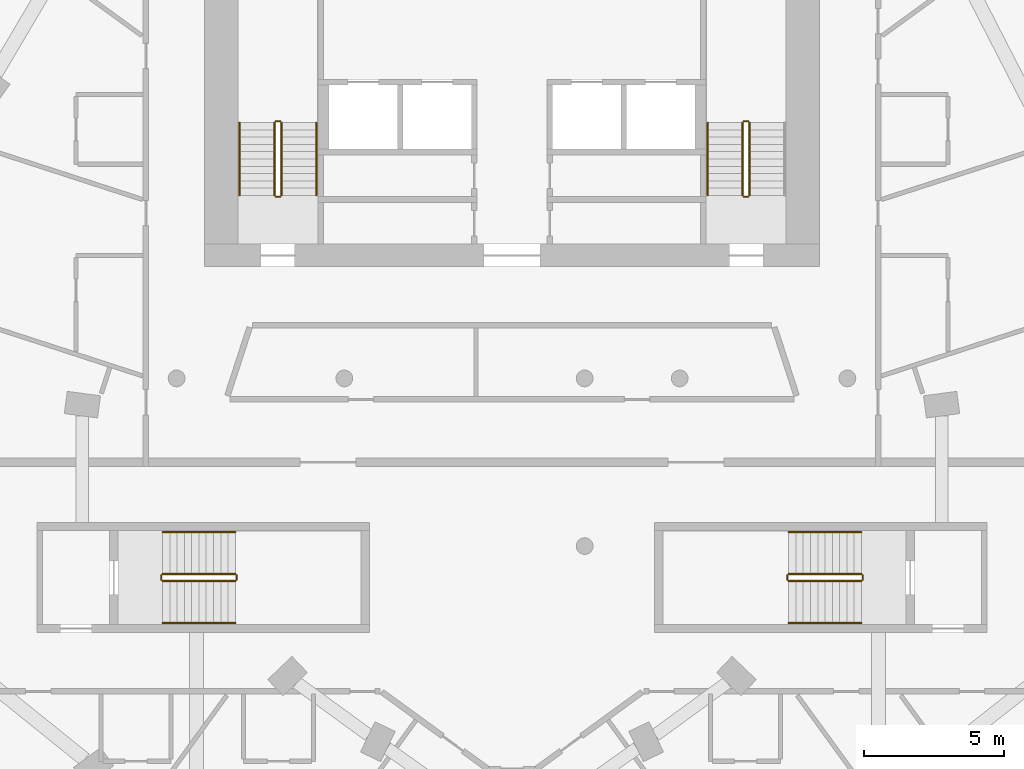
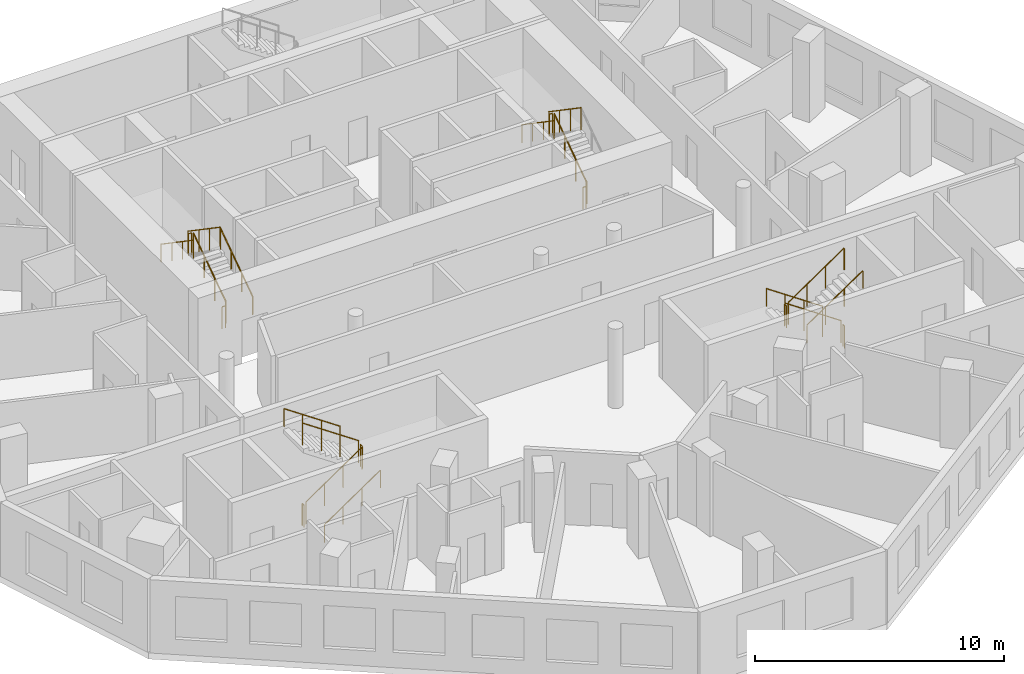
# One storey, part 8 of 9: 23 railings.
"""IFC4 building model written with IfcOpenShell, lengths in metres."""

import ifcopenshell
import ifcopenshell.guid

model = None  # the IFC model being written
_history = None  # IfcOwnerHistory: only IFC2X3 demands one
_inside = {}  # id of a spatial element -> (the spatial element, [elements in it])
_under = {}  # id of a project, library or spatial element -> (it, [spatial elements below it])
_declared = {}  # id of a project -> (the project, [libraries it declares])
_typed = {}  # id of a type object -> (the type object, [elements of that type])
_made_of = {}  # id of a material, layer set ... -> (it, [elements and type objects made of it])


def new_model(schema):
    """Start an empty IFC model of exactly this schema.

    Asked for "IFC4X3", IfcOpenShell would pick the latest addendum, in which some entities
    have other attributes; the version numbers below select the first issue.
    IFC2X3 requires an IfcOwnerHistory on every rooted entity: one is made here for all.
    """
    global model, _history
    if schema == "IFC4X3":
        model = ifcopenshell.file(schema_version=(4, 3, 0, 0))
    else:
        model = ifcopenshell.file(schema=schema)
    _inside.clear()
    _under.clear()
    _declared.clear()
    _typed.clear()
    _made_of.clear()
    _history = None
    if model.schema == "IFC2X3":
        org = make("IfcOrganization", Name="unknown")
        user = make(
            "IfcPersonAndOrganization",
            ThePerson=make("IfcPerson", FamilyName="unknown"),
            TheOrganization=org,
        )
        app = make(
            "IfcApplication",
            ApplicationDeveloper=org,
            Version="unknown",
            ApplicationFullName="unknown",
            ApplicationIdentifier="unknown",
        )
        _history = make(
            "IfcOwnerHistory",
            OwningUser=user,
            OwningApplication=app,
            ChangeAction="ADDED",
            CreationDate=0,
        )
    return model


def make(cls, **values):
    """One entity of the class cls with the attributes given. An attribute that is None is left unset."""
    return model.create_entity(
        cls, **{name: value for name, value in values.items() if value is not None}
    )


def rooted(cls, **values):
    """An entity with a GlobalId (a new one), such as an element, a storey or a relation."""
    return make(cls, GlobalId=ifcopenshell.guid.new(), OwnerHistory=_history, **values)


def si_unit(unit_type, name, prefix=None):
    """IfcSIUnit, for example si_unit("LENGTHUNIT", "METRE", prefix="MILLI")."""
    return make("IfcSIUnit", UnitType=unit_type, Prefix=prefix, Name=name)


def assignment(units):
    """IfcUnitAssignment: the units of a project."""
    return None if units is None else make("IfcUnitAssignment", Units=units)


def point(xyz):
    """IfcCartesianPoint."""
    return None if xyz is None else make("IfcCartesianPoint", Coordinates=xyz)


def direction(xyz):
    """IfcDirection."""
    return None if xyz is None else make("IfcDirection", DirectionRatios=xyz)


def frame(location, z_axis=None, x_axis=None):
    """IfcAxis2Placement3D, a coordinate frame: its origin and axes. An axis left out is left unset."""
    return make(
        "IfcAxis2Placement3D",
        Location=point(location),
        Axis=direction(z_axis),
        RefDirection=direction(x_axis),
    )


def frame_2d(location, x_axis=None):
    """IfcAxis2Placement2D, a coordinate frame in the plane: its origin and x axis."""
    return make(
        "IfcAxis2Placement2D", Location=point(location), RefDirection=direction(x_axis)
    )


def origin():
    """The frame at (0, 0, 0) with its axes left unset."""
    return frame((0.0, 0.0, 0.0))


def origin_2d():
    """The frame at (0, 0) in the plane with its x axis left unset."""
    return frame_2d((0.0, 0.0))


def place(relative_to, where):
    """IfcLocalPlacement: puts the frame where relative to a parent placement (None: the world)."""
    return make(
        "IfcLocalPlacement", PlacementRelTo=relative_to, RelativePlacement=where
    )


def context(
    kind, dimensions, precision=None, world=None, true_north=None, identifier=None
):
    """IfcGeometricRepresentationContext, for example the 3D "Model" context."""
    return make(
        "IfcGeometricRepresentationContext",
        ContextIdentifier=identifier,
        ContextType=kind,
        CoordinateSpaceDimension=dimensions,
        Precision=precision,
        WorldCoordinateSystem=world,
        TrueNorth=true_north,
    )


def subcontext(parent, identifier, kind, view, scale=None):
    """IfcGeometricRepresentationSubContext, for example "Body" below "Model"."""
    return make(
        "IfcGeometricRepresentationSubContext",
        ContextIdentifier=identifier,
        ContextType=kind,
        ParentContext=parent,
        TargetScale=scale,
        TargetView=view,
    )


def project(units=None, contexts=None):
    """IfcProject with its units and contexts."""
    return rooted(
        "IfcProject",
        Name="project",
        RepresentationContexts=contexts,
        UnitsInContext=assignment(units),
    )


def spatial(cls, under=None, at=None, **own):
    """A site, building, storey or space (cls), placed at a placement, below another one or the project."""
    s = rooted(cls, ObjectPlacement=at, **own)
    if under is not None:
        _under.setdefault(under.id(), (under, []))[1].append(s)
    return s


def profile(cls, at=None, kind="AREA", **sizes):
    """A parametric profile (cls). Its sizes go by their IFC names, for example OverallWidth=200.0."""
    return make(cls, ProfileType=kind, Position=at, **sizes)


def circle(**sizes):
    """IfcCircleProfileDef."""
    return profile("IfcCircleProfileDef", **sizes)


def extrude(swept, where, along, depth):
    """IfcExtrudedAreaSolid: the profile swept, set in the frame where, extruded along a direction by depth."""
    return make(
        "IfcExtrudedAreaSolid",
        SweptArea=swept,
        Position=where,
        ExtrudedDirection=direction(along),
        Depth=depth,
    )


def shape(context_of_items, identifier, shape_type, items):
    """IfcShapeRepresentation: the items that make up one representation, for example the "Body"."""
    return make(
        "IfcShapeRepresentation",
        ContextOfItems=context_of_items,
        RepresentationIdentifier=identifier,
        RepresentationType=shape_type,
        Items=items,
    )


def material(Name=None, Category=None):
    """IfcMaterial."""
    return make("IfcMaterial", Name=Name, Category=Category)


def made_of(thing, what):
    """Note that an element or type object is made of a material, layer set ...; save() writes the relation."""
    if what is not None:
        _made_of.setdefault(what.id(), (what, []))[1].append(thing)
    return thing


def type_object(cls, material=None, **own):
    """A type object (cls), such as IfcWallType, which elements share."""
    return made_of(rooted(cls, **own), material)


def element(
    cls,
    number,
    at=None,
    inside=None,
    cuts=None,
    type_object=None,
    material=None,
    context=None,
    identifier="Body",
    shape_type=None,
    held_by="IfcProductDefinitionShape",
    body=None,
    shapes=None,
    **own,
):
    """One element of the class cls, such as IfcWall. Its Tag is "e" and its number.

    at: its placement. inside: the storey or other place that contains it. cuts: it is an
    opening in that element (IfcRelVoidsElement). A single representation is given by context,
    identifier, shape_type and body (its items); several are given by shapes. held_by: the class
    of the entity that holds the representations. save() writes the other relations.
    """
    e = rooted(cls, Tag="e%d" % number, ObjectPlacement=at, **own)
    if body is not None:
        shapes = [shape(context, identifier, shape_type, body)]
    if shapes is not None:
        e.Representation = make(held_by, Representations=shapes)
    if inside is not None:
        _inside.setdefault(inside.id(), (inside, []))[1].append(e)
    if cuts is not None:
        rooted(
            "IfcRelVoidsElement", RelatingBuildingElement=cuts, RelatedOpeningElement=e
        )
    if type_object is not None:
        _typed.setdefault(type_object.id(), (type_object, []))[1].append(e)
    return made_of(e, material)


def aggregate(whole, parts):
    """IfcRelAggregates: a whole, such as a stair, and the parts it consists of."""
    return rooted("IfcRelAggregates", RelatingObject=whole, RelatedObjects=parts)


def save(model, path):
    """Write the relations noted so far, then the file.

    IfcRelAggregates (storeys below a building ...), IfcRelContainedInSpatialStructure (elements
    in a storey), IfcRelDefinesByType, IfcRelAssociatesMaterial and IfcRelDeclares: one each for
    every whole, place, type object, material and project.
    """
    for whole, parts in _under.values():
        aggregate(whole, parts)
    for where, things in _inside.values():
        rooted(
            "IfcRelContainedInSpatialStructure",
            RelatedElements=things,
            RelatingStructure=where,
        )
    for kind, things in _typed.values():
        rooted("IfcRelDefinesByType", RelatedObjects=things, RelatingType=kind)
    for what, things in _made_of.values():
        rooted("IfcRelAssociatesMaterial", RelatedObjects=things, RelatingMaterial=what)
    for by, libraries in _declared.values():
        rooted("IfcRelDeclares", RelatingContext=by, RelatedDefinitions=libraries)
    model.write(path)


model = new_model("IFC4")

# Units and contexts
model_context = context("Model", 3, precision=1e-05, world=origin(), true_north=direction((0.0, 1.0)))
body_context = subcontext(model_context, "Body", "Model", "MODEL_VIEW")
ifc_project = project(units=[si_unit("LENGTHUNIT", "METRE"), si_unit("AREAUNIT", "SQUARE_METRE"), si_unit("VOLUMEUNIT", "CUBIC_METRE"), si_unit("PLANEANGLEUNIT", "RADIAN"), si_unit("MASSUNIT", "GRAM", prefix="KILO")], contexts=[model_context])

# Site, building, storey
site_placement = place(None, origin())
site = spatial("IfcSite", under=ifc_project, at=site_placement, CompositionType="ELEMENT")
building_placement = place(site_placement, origin())
building = spatial("IfcBuilding", under=site, at=building_placement, Name="White Candle Pilgrim Tower", CompositionType="ELEMENT")
storey_placement = place(building_placement, frame((0.0, 0.0, 216.0)))
storey = spatial("IfcBuildingStorey", under=building, at=storey_placement, Name="L50", CompositionType="ELEMENT", Elevation=216.0)

# Railings
ifc_material = material(Name="Stainless steel", Category="steel")
railing_type_1 = type_object("IfcRailingType", Name="Stair guard stainless steel 1100 mm", PredefinedType="GUARDRAIL", material=ifc_material)
railing_1_placement = place(storey_placement, frame((61.75, 73.550048828125, 0.17724609375)))
element("IfcRailing", 1, at=railing_1_placement, inside=storey, type_object=railing_type_1, Name="L50 ST1 stair guard 1", PredefinedType="GUARDRAIL", context=body_context, shape_type="SweptSolid", body=[
    extrude(circle(Radius=0.02392578125, at=origin_2d()), frame((0.0, 0.0, 1.076171875), z_axis=(0.0, 0.826215852431, 0.563353676824), x_axis=(-1.0, 0.0, 0.0)), (0.0, 0.0, 1.0), 3.146728515625),
    extrude(circle(Radius=0.02099609375, at=origin_2d()), origin(), (0.0, 0.0, 1.0), 1.052001953125),
    extrude(circle(Radius=0.02099609375, at=origin_2d()), frame((0.0, 0.86669921875, 0.5908203125)), (0.0, 0.0, 1.0), 1.052001953125),
    extrude(circle(Radius=0.02099609375, at=origin_2d()), frame((0.0, 1.733154296875, 1.181884765625)), (0.0, 0.0, 1.0), 1.052001953125),
    extrude(circle(Radius=0.02099609375, at=origin_2d()), frame((0.0, 2.599853515625, 1.772705078125)), (0.0, 0.0, 1.0), 1.052001953125),
])
railing_2_placement = place(storey_placement, frame((61.699951171875, 76.199951171875, 1.949951171875)))
element("IfcRailing", 2, at=railing_2_placement, inside=storey, type_object=railing_type_1, Name="L50 ST1 stair guard 2", PredefinedType="GUARDRAIL", context=body_context, shape_type="SweptSolid", body=[
    extrude(circle(Radius=0.02392578125, at=origin_2d()), frame((0.0, 0.0, 1.076171875), z_axis=(-1.0, 0.0, 0.0), x_axis=(0.0, -1.0, 0.0)), (0.0, 0.0, 1.0), 0.14990234375),
    extrude(circle(Radius=0.02099609375, at=origin_2d()), origin(), (0.0, 0.0, 1.0), 1.052001953125),
    extrude(circle(Radius=0.02099609375, at=origin_2d()), frame((-0.14990234375, 0.0, 0.0)), (0.0, 0.0, 1.0), 1.052001953125),
])
railing_3_placement = place(storey_placement, frame((61.5, 76.14990234375, 2.127197265625)))
element("IfcRailing", 3, at=railing_3_placement, inside=storey, type_object=railing_type_1, Name="L50 ST1 stair guard 3", PredefinedType="GUARDRAIL", context=body_context, shape_type="SweptSolid", body=[
    extrude(circle(Radius=0.02392578125, at=origin_2d()), frame((0.0, 0.0, 1.076171875), z_axis=(0.0, -0.826215852431, 0.563353676824), x_axis=(1.0, 0.0, 0.0)), (0.0, 0.0, 1.0), 3.146728515625),
    extrude(circle(Radius=0.02099609375, at=origin_2d()), origin(), (0.0, 0.0, 1.0), 1.052001953125),
    extrude(circle(Radius=0.02099609375, at=origin_2d()), frame((0.0, -0.86669921875, 0.5908203125)), (0.0, 0.0, 1.0), 1.052001953125),
    extrude(circle(Radius=0.02099609375, at=origin_2d()), frame((0.0, -1.733154296875, 1.181884765625)), (0.0, 0.0, 1.0), 1.052001953125),
    extrude(circle(Radius=0.02099609375, at=origin_2d()), frame((0.0, -2.599853515625, 1.772705078125)), (0.0, 0.0, 1.0), 1.052001953125),
])
railing_4_placement = place(storey_placement, frame((61.699951171875, 73.5, 0.0)))
element("IfcRailing", 4, at=railing_4_placement, inside=storey, type_object=railing_type_1, Name="L50 ST1 stair guard 4", PredefinedType="GUARDRAIL", context=body_context, shape_type="SweptSolid", body=[
    extrude(circle(Radius=0.02392578125, at=origin_2d()), frame((0.0, 0.0, 1.076171875), z_axis=(-1.0, 0.0, 0.0), x_axis=(0.0, -1.0, 0.0)), (0.0, 0.0, 1.0), 0.14990234375),
    extrude(circle(Radius=0.02099609375, at=origin_2d()), origin(), (0.0, 0.0, 1.0), 1.052001953125),
    extrude(circle(Radius=0.02099609375, at=origin_2d()), frame((-0.14990234375, 0.0, 0.0)), (0.0, 0.0, 1.0), 1.052001953125),
])
railing_5_placement = place(storey_placement, frame((78.5, 73.550048828125, 0.17724609375)))
element("IfcRailing", 5, at=railing_5_placement, inside=storey, type_object=railing_type_1, Name="L50 ST2 stair guard 1", PredefinedType="GUARDRAIL", context=body_context, shape_type="SweptSolid", body=[
    extrude(circle(Radius=0.02392578125, at=origin_2d()), frame((0.0, 0.0, 1.076171875), z_axis=(0.0, 0.826215852431, 0.563353676824), x_axis=(-1.0, 0.0, 0.0)), (0.0, 0.0, 1.0), 3.146728515625),
    extrude(circle(Radius=0.02099609375, at=origin_2d()), origin(), (0.0, 0.0, 1.0), 1.052001953125),
    extrude(circle(Radius=0.02099609375, at=origin_2d()), frame((0.0, 0.86669921875, 0.5908203125)), (0.0, 0.0, 1.0), 1.052001953125),
    extrude(circle(Radius=0.02099609375, at=origin_2d()), frame((0.0, 1.733154296875, 1.181884765625)), (0.0, 0.0, 1.0), 1.052001953125),
    extrude(circle(Radius=0.02099609375, at=origin_2d()), frame((0.0, 2.599853515625, 1.772705078125)), (0.0, 0.0, 1.0), 1.052001953125),
])
railing_6_placement = place(storey_placement, frame((78.449951171875, 76.199951171875, 1.949951171875)))
element("IfcRailing", 6, at=railing_6_placement, inside=storey, type_object=railing_type_1, Name="L50 ST2 stair guard 2", PredefinedType="GUARDRAIL", context=body_context, shape_type="SweptSolid", body=[
    extrude(circle(Radius=0.02392578125, at=origin_2d()), frame((0.0, 0.0, 1.076171875), z_axis=(-1.0, 0.0, 0.0), x_axis=(0.0, -1.0, 0.0)), (0.0, 0.0, 1.0), 0.14990234375),
    extrude(circle(Radius=0.02099609375, at=origin_2d()), origin(), (0.0, 0.0, 1.0), 1.052001953125),
    extrude(circle(Radius=0.02099609375, at=origin_2d()), frame((-0.14990234375, 0.0, 0.0)), (0.0, 0.0, 1.0), 1.052001953125),
])
railing_7_placement = place(storey_placement, frame((78.25, 76.14990234375, 2.127197265625)))
element("IfcRailing", 7, at=railing_7_placement, inside=storey, type_object=railing_type_1, Name="L50 ST2 stair guard 3", PredefinedType="GUARDRAIL", context=body_context, shape_type="SweptSolid", body=[
    extrude(circle(Radius=0.02392578125, at=origin_2d()), frame((0.0, 0.0, 1.076171875), z_axis=(0.0, -0.826215852431, 0.563353676824), x_axis=(1.0, 0.0, 0.0)), (0.0, 0.0, 1.0), 3.146728515625),
    extrude(circle(Radius=0.02099609375, at=origin_2d()), origin(), (0.0, 0.0, 1.0), 1.052001953125),
    extrude(circle(Radius=0.02099609375, at=origin_2d()), frame((0.0, -0.86669921875, 0.5908203125)), (0.0, 0.0, 1.0), 1.052001953125),
    extrude(circle(Radius=0.02099609375, at=origin_2d()), frame((0.0, -1.733154296875, 1.181884765625)), (0.0, 0.0, 1.0), 1.052001953125),
    extrude(circle(Radius=0.02099609375, at=origin_2d()), frame((0.0, -2.599853515625, 1.772705078125)), (0.0, 0.0, 1.0), 1.052001953125),
])
railing_8_placement = place(storey_placement, frame((78.449951171875, 73.5, 0.0)))
element("IfcRailing", 8, at=railing_8_placement, inside=storey, type_object=railing_type_1, Name="L50 ST2 stair guard 4", PredefinedType="GUARDRAIL", context=body_context, shape_type="SweptSolid", body=[
    extrude(circle(Radius=0.02392578125, at=origin_2d()), frame((0.0, 0.0, 1.076171875), z_axis=(-1.0, 0.0, 0.0), x_axis=(0.0, -1.0, 0.0)), (0.0, 0.0, 1.0), 0.14990234375),
    extrude(circle(Radius=0.02099609375, at=origin_2d()), origin(), (0.0, 0.0, 1.0), 1.052001953125),
    extrude(circle(Radius=0.02099609375, at=origin_2d()), frame((-0.14990234375, 0.0, 0.0)), (0.0, 0.0, 1.0), 1.052001953125),
])
railing_9_placement = place(storey_placement, frame((82.5, 60.0, 0.17724609375)))
element("IfcRailing", 9, at=railing_9_placement, inside=storey, type_object=railing_type_1, Name="L50 ST4 stair guard 1", PredefinedType="GUARDRAIL", context=body_context, shape_type="SweptSolid", body=[
    extrude(circle(Radius=0.02392578125, at=origin_2d()), frame((0.0, 0.0, 1.076171875), z_axis=(-0.826240473404, 0.0, 0.563317565952), x_axis=(0.0, -1.0, 0.0)), (0.0, 0.0, 1.0), 3.14697265625),
    extrude(circle(Radius=0.02099609375, at=origin_2d()), origin(), (0.0, 0.0, 1.0), 1.052001953125),
    extrude(circle(Radius=0.02099609375, at=origin_2d()), frame((-0.86669921875, 0.0, 0.5908203125)), (0.0, 0.0, 1.0), 1.052001953125),
    extrude(circle(Radius=0.02099609375, at=origin_2d()), frame((-1.7333984375, 0.0, 1.181884765625)), (0.0, 0.0, 1.0), 1.052001953125),
    extrude(circle(Radius=0.02099609375, at=origin_2d()), frame((-2.60009765625, 0.0, 1.772705078125)), (0.0, 0.0, 1.0), 1.052001953125),
])
railing_10_placement = place(storey_placement, frame((79.85009765625, 59.949951171875, 1.949951171875)))
element("IfcRailing", 10, at=railing_10_placement, inside=storey, type_object=railing_type_1, Name="L50 ST4 stair guard 2", PredefinedType="GUARDRAIL", context=body_context, shape_type="SweptSolid", body=[
    extrude(circle(Radius=0.02392578125, at=origin_2d()), frame((0.0, 0.0, 1.076171875), z_axis=(0.0, -1.0, 0.0), x_axis=(1.0, 0.0, 0.0)), (0.0, 0.0, 1.0), 0.14990234375),
    extrude(circle(Radius=0.02099609375, at=origin_2d()), origin(), (0.0, 0.0, 1.0), 1.052001953125),
    extrude(circle(Radius=0.02099609375, at=origin_2d()), frame((0.0, -0.14990234375, 0.0)), (0.0, 0.0, 1.0), 1.052001953125),
])
railing_11_placement = place(storey_placement, frame((79.89990234375, 59.75, 2.127197265625)))
element("IfcRailing", 11, at=railing_11_placement, inside=storey, type_object=railing_type_1, Name="L50 ST4 stair guard 3", PredefinedType="GUARDRAIL", context=body_context, shape_type="SweptSolid", body=[
    extrude(circle(Radius=0.02392578125, at=origin_2d()), frame((0.0, 0.0, 1.076171875), z_axis=(0.826240473404, 0.0, 0.563317565952), x_axis=(0.0, 1.0, 0.0)), (0.0, 0.0, 1.0), 3.14697265625),
    extrude(circle(Radius=0.02099609375, at=origin_2d()), origin(), (0.0, 0.0, 1.0), 1.052001953125),
    extrude(circle(Radius=0.02099609375, at=origin_2d()), frame((0.86669921875, 0.0, 0.5908203125)), (0.0, 0.0, 1.0), 1.052001953125),
    extrude(circle(Radius=0.02099609375, at=origin_2d()), frame((1.7333984375, 0.0, 1.181884765625)), (0.0, 0.0, 1.0), 1.052001953125),
    extrude(circle(Radius=0.02099609375, at=origin_2d()), frame((2.60009765625, 0.0, 1.772705078125)), (0.0, 0.0, 1.0), 1.052001953125),
])
railing_12_placement = place(storey_placement, frame((82.550048828125, 59.949951171875, 0.0)))
element("IfcRailing", 12, at=railing_12_placement, inside=storey, type_object=railing_type_1, Name="L50 ST4 stair guard 4", PredefinedType="GUARDRAIL", context=body_context, shape_type="SweptSolid", body=[
    extrude(circle(Radius=0.02392578125, at=origin_2d()), frame((0.0, 0.0, 1.076171875), z_axis=(0.0, -1.0, 0.0), x_axis=(1.0, 0.0, 0.0)), (0.0, 0.0, 1.0), 0.14990234375),
    extrude(circle(Radius=0.02099609375, at=origin_2d()), origin(), (0.0, 0.0, 1.0), 1.052001953125),
    extrude(circle(Radius=0.02099609375, at=origin_2d()), frame((0.0, -0.14990234375, 0.0)), (0.0, 0.0, 1.0), 1.052001953125),
])
railing_13_placement = place(storey_placement, frame((57.5, 59.75, 0.17724609375)))
element("IfcRailing", 13, at=railing_13_placement, inside=storey, type_object=railing_type_1, Name="L50 ST5 stair guard 1", PredefinedType="GUARDRAIL", context=body_context, shape_type="SweptSolid", body=[
    extrude(circle(Radius=0.02392578125, at=origin_2d()), frame((0.0, 0.0, 1.076171875), z_axis=(0.826240473404, 0.0, 0.563317565952), x_axis=(0.0, 1.0, 0.0)), (0.0, 0.0, 1.0), 3.14697265625),
    extrude(circle(Radius=0.02099609375, at=origin_2d()), origin(), (0.0, 0.0, 1.0), 1.052001953125),
    extrude(circle(Radius=0.02099609375, at=origin_2d()), frame((0.86669921875, 0.0, 0.5908203125)), (0.0, 0.0, 1.0), 1.052001953125),
    extrude(circle(Radius=0.02099609375, at=origin_2d()), frame((1.7333984375, 0.0, 1.181884765625)), (0.0, 0.0, 1.0), 1.052001953125),
    extrude(circle(Radius=0.02099609375, at=origin_2d()), frame((2.60009765625, 0.0, 1.772705078125)), (0.0, 0.0, 1.0), 1.052001953125),
])
railing_14_placement = place(storey_placement, frame((60.14990234375, 59.800048828125, 1.949951171875)))
element("IfcRailing", 14, at=railing_14_placement, inside=storey, type_object=railing_type_1, Name="L50 ST5 stair guard 2", PredefinedType="GUARDRAIL", context=body_context, shape_type="SweptSolid", body=[
    extrude(circle(Radius=0.02392578125, at=origin_2d()), frame((0.0, 0.0, 1.076171875), z_axis=(0.0, 1.0, 0.0), x_axis=(-1.0, 0.0, 0.0)), (0.0, 0.0, 1.0), 0.14990234375),
    extrude(circle(Radius=0.02099609375, at=origin_2d()), origin(), (0.0, 0.0, 1.0), 1.052001953125),
    extrude(circle(Radius=0.02099609375, at=origin_2d()), frame((0.0, 0.14990234375, 0.0)), (0.0, 0.0, 1.0), 1.052001953125),
])
railing_15_placement = place(storey_placement, frame((60.10009765625, 60.0, 2.127197265625)))
element("IfcRailing", 15, at=railing_15_placement, inside=storey, type_object=railing_type_1, Name="L50 ST5 stair guard 3", PredefinedType="GUARDRAIL", context=body_context, shape_type="SweptSolid", body=[
    extrude(circle(Radius=0.02392578125, at=origin_2d()), frame((0.0, 0.0, 1.076171875), z_axis=(-0.826240473404, 0.0, 0.563317565952), x_axis=(0.0, -1.0, 0.0)), (0.0, 0.0, 1.0), 3.14697265625),
    extrude(circle(Radius=0.02099609375, at=origin_2d()), origin(), (0.0, 0.0, 1.0), 1.052001953125),
    extrude(circle(Radius=0.02099609375, at=origin_2d()), frame((-0.86669921875, 0.0, 0.5908203125)), (0.0, 0.0, 1.0), 1.052001953125),
    extrude(circle(Radius=0.02099609375, at=origin_2d()), frame((-1.7333984375, 0.0, 1.181884765625)), (0.0, 0.0, 1.0), 1.052001953125),
    extrude(circle(Radius=0.02099609375, at=origin_2d()), frame((-2.60009765625, 0.0, 1.772705078125)), (0.0, 0.0, 1.0), 1.052001953125),
])
railing_16_placement = place(storey_placement, frame((57.449951171875, 59.800048828125, 0.0)))
element("IfcRailing", 16, at=railing_16_placement, inside=storey, type_object=railing_type_1, Name="L50 ST5 stair guard 4", PredefinedType="GUARDRAIL", context=body_context, shape_type="SweptSolid", body=[
    extrude(circle(Radius=0.02392578125, at=origin_2d()), frame((0.0, 0.0, 1.076171875), z_axis=(0.0, 1.0, 0.0), x_axis=(-1.0, 0.0, 0.0)), (0.0, 0.0, 1.0), 0.14990234375),
    extrude(circle(Radius=0.02099609375, at=origin_2d()), origin(), (0.0, 0.0, 1.0), 1.052001953125),
    extrude(circle(Radius=0.02099609375, at=origin_2d()), frame((0.0, 0.14990234375, 0.0)), (0.0, 0.0, 1.0), 1.052001953125),
])
railing_type_2 = type_object("IfcRailingType", Name="Stair handrail stainless steel", PredefinedType="HANDRAIL", material=ifc_material)
railing_17_placement = place(storey_placement, frame((63.0, 73.550048828125, 0.17724609375)))
element("IfcRailing", 17, at=railing_17_placement, inside=storey, type_object=railing_type_2, Name="L50 ST1 stair handrail 1", PredefinedType="HANDRAIL", context=body_context, shape_type="SweptSolid", body=[
    extrude(circle(Radius=0.02392578125, at=origin_2d()), frame((0.0, 0.0, 0.8759765625), z_axis=(0.0, 0.826215852431, 0.563353676824), x_axis=(-1.0, 0.0, 0.0)), (0.0, 0.0, 1.0), 3.146728515625),
    extrude(circle(Radius=0.02099609375, at=origin_2d()), origin(), (0.0, 0.0, 1.0), 0.851806640625),
    extrude(circle(Radius=0.02099609375, at=origin_2d()), frame((0.0, 0.86669921875, 0.5908203125)), (0.0, 0.0, 1.0), 0.851806640625),
    extrude(circle(Radius=0.02099609375, at=origin_2d()), frame((0.0, 1.733154296875, 1.181884765625)), (0.0, 0.0, 1.0), 0.851806640625),
    extrude(circle(Radius=0.02099609375, at=origin_2d()), frame((0.0, 2.599853515625, 1.772705078125)), (0.0, 0.0, 1.0), 0.851806640625),
])
for number, where, name in (
    (18, (60.25, 76.14990234375, 2.127197265625), "L50 ST1 stair handrail 2"),
    (19, (77.0, 76.14990234375, 2.127197265625), "L50 ST2 stair handrail 2"),
):
    element("IfcRailing", number, at=place(storey_placement, frame(where)), inside=storey, type_object=railing_type_2, Name=name, PredefinedType="HANDRAIL", context=body_context, shape_type="SweptSolid", body=[
        extrude(circle(Radius=0.02392578125, at=origin_2d()), frame((0.0, 0.0, 0.8759765625), z_axis=(0.0, -0.826215852431, 0.563353676824), x_axis=(1.0, 0.0, 0.0)), (0.0, 0.0, 1.0), 3.146728515625),
        extrude(circle(Radius=0.02099609375, at=origin_2d()), origin(), (0.0, 0.0, 1.0), 0.851806640625),
        extrude(circle(Radius=0.02099609375, at=origin_2d()), frame((0.0, -0.86669921875, 0.5908203125)), (0.0, 0.0, 1.0), 0.851806640625),
        extrude(circle(Radius=0.02099609375, at=origin_2d()), frame((0.0, -1.733154296875, 1.181884765625)), (0.0, 0.0, 1.0), 0.851806640625),
        extrude(circle(Radius=0.02099609375, at=origin_2d()), frame((0.0, -2.599853515625, 1.772705078125)), (0.0, 0.0, 1.0), 0.851806640625),
    ])
railing_18_placement = place(storey_placement, frame((82.5, 61.5, 0.17724609375)))
element("IfcRailing", 20, at=railing_18_placement, inside=storey, type_object=railing_type_2, Name="L50 ST4 stair handrail 1", PredefinedType="HANDRAIL", context=body_context, shape_type="SweptSolid", body=[
    extrude(circle(Radius=0.02392578125, at=origin_2d()), frame((0.0, 0.0, 0.8759765625), z_axis=(-0.826240473404, 0.0, 0.563317565952), x_axis=(0.0, -1.0, 0.0)), (0.0, 0.0, 1.0), 3.14697265625),
    extrude(circle(Radius=0.02099609375, at=origin_2d()), origin(), (0.0, 0.0, 1.0), 0.851806640625),
    extrude(circle(Radius=0.02099609375, at=origin_2d()), frame((-0.86669921875, 0.0, 0.5908203125)), (0.0, 0.0, 1.0), 0.851806640625),
    extrude(circle(Radius=0.02099609375, at=origin_2d()), frame((-1.7333984375, 0.0, 1.181884765625)), (0.0, 0.0, 1.0), 0.851806640625),
    extrude(circle(Radius=0.02099609375, at=origin_2d()), frame((-2.60009765625, 0.0, 1.772705078125)), (0.0, 0.0, 1.0), 0.851806640625),
])
for number, where, name in (
    (21, (79.89990234375, 58.25, 2.127197265625), "L50 ST4 stair handrail 2"),
    (22, (57.5, 58.25, 0.17724609375), "L50 ST5 stair handrail 1"),
):
    element("IfcRailing", number, at=place(storey_placement, frame(where)), inside=storey, type_object=railing_type_2, Name=name, PredefinedType="HANDRAIL", context=body_context, shape_type="SweptSolid", body=[
        extrude(circle(Radius=0.02392578125, at=origin_2d()), frame((0.0, 0.0, 0.8759765625), z_axis=(0.826240473404, 0.0, 0.563317565952), x_axis=(0.0, 1.0, 0.0)), (0.0, 0.0, 1.0), 3.14697265625),
        extrude(circle(Radius=0.02099609375, at=origin_2d()), origin(), (0.0, 0.0, 1.0), 0.851806640625),
        extrude(circle(Radius=0.02099609375, at=origin_2d()), frame((0.86669921875, 0.0, 0.5908203125)), (0.0, 0.0, 1.0), 0.851806640625),
        extrude(circle(Radius=0.02099609375, at=origin_2d()), frame((1.7333984375, 0.0, 1.181884765625)), (0.0, 0.0, 1.0), 0.851806640625),
        extrude(circle(Radius=0.02099609375, at=origin_2d()), frame((2.60009765625, 0.0, 1.772705078125)), (0.0, 0.0, 1.0), 0.851806640625),
    ])
railing_19_placement = place(storey_placement, frame((60.10009765625, 61.5, 2.127197265625)))
element("IfcRailing", 23, at=railing_19_placement, inside=storey, type_object=railing_type_2, Name="L50 ST5 stair handrail 2", PredefinedType="HANDRAIL", context=body_context, shape_type="SweptSolid", body=[
    extrude(circle(Radius=0.02392578125, at=origin_2d()), frame((0.0, 0.0, 0.8759765625), z_axis=(-0.826240473404, 0.0, 0.563317565952), x_axis=(0.0, -1.0, 0.0)), (0.0, 0.0, 1.0), 3.14697265625),
    extrude(circle(Radius=0.02099609375, at=origin_2d()), origin(), (0.0, 0.0, 1.0), 0.851806640625),
    extrude(circle(Radius=0.02099609375, at=origin_2d()), frame((-0.86669921875, 0.0, 0.5908203125)), (0.0, 0.0, 1.0), 0.851806640625),
    extrude(circle(Radius=0.02099609375, at=origin_2d()), frame((-1.7333984375, 0.0, 1.181884765625)), (0.0, 0.0, 1.0), 0.851806640625),
    extrude(circle(Radius=0.02099609375, at=origin_2d()), frame((-2.60009765625, 0.0, 1.772705078125)), (0.0, 0.0, 1.0), 0.851806640625),
])

save(model, "model.ifc")
